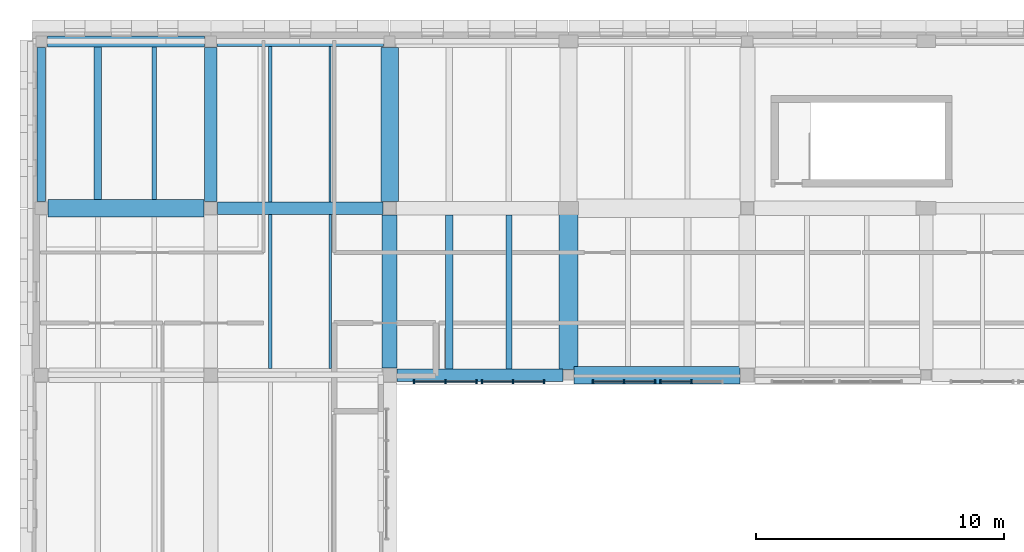
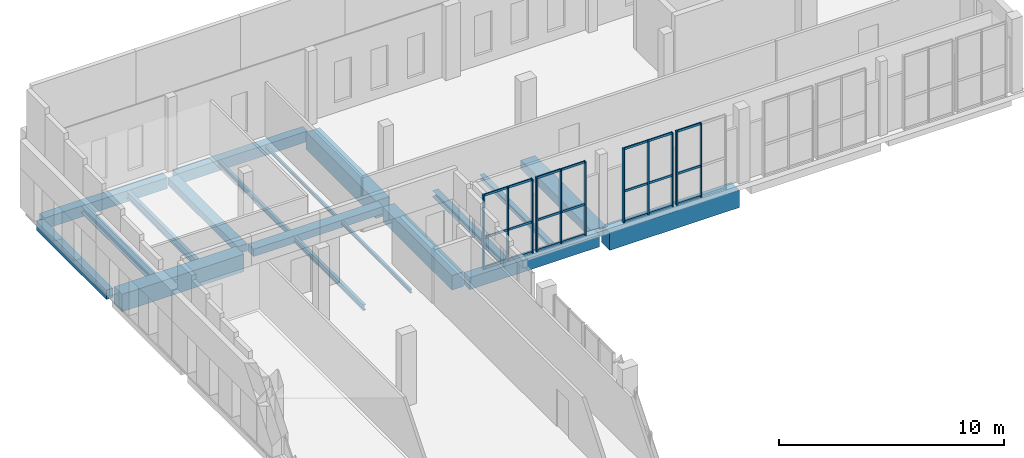
# One storey, part 11 of 34: 32 members, 19 beams, 4 elements without a shape of their own.
"""IFC4 building model written with IfcOpenShell, lengths in metres."""

from ifc_helpers import new_model, si_unit, direction, frame, origin, origin_2d, place, context, subcontext, project, spatial, rectangle, i_section, extrude, material, layer, layer_set, material_profile, profile_set, type_object, element, aggregate, save


model = new_model("IFC4")

# Units and contexts
model_context = context("Model", 3, precision=1e-05, world=origin(), true_north=direction((0.0, 1.0)))
body_context = subcontext(model_context, "Body", "Model", "MODEL_VIEW")
ifc_project = project(units=[si_unit("LENGTHUNIT", "METRE"), si_unit("AREAUNIT", "SQUARE_METRE"), si_unit("VOLUMEUNIT", "CUBIC_METRE"), si_unit("PLANEANGLEUNIT", "RADIAN"), si_unit("MASSUNIT", "GRAM", prefix="KILO")], contexts=[model_context])

# Site, building, storey
site_placement = place(None, origin())
site = spatial("IfcSite", under=ifc_project, at=site_placement, CompositionType="ELEMENT")
building_placement = place(site_placement, origin())
building = spatial("IfcBuilding", under=site, at=building_placement, Name="Vardoun Plaza Health Centre", CompositionType="ELEMENT")
storey_placement = place(building_placement, frame((0.0, 0.0, 12.89990234375)))
storey = spatial("IfcBuildingStorey", under=building, at=storey_placement, Name="L03", CompositionType="ELEMENT", Elevation=12.89990234375)

# Beams
ifc_material_1 = material(Name="Concrete C35/45", Category="concrete")
ifc_material_profile_1 = material_profile(ifc_material_1, rectangle(XDim=0.35009765625, YDim=0.5, at=origin_2d()), Name="RC-BM 350x500")
ifc_profile_set_1 = profile_set([ifc_material_profile_1], Name="Concrete C35/45")
beam_type_1 = type_object("IfcBeamType", Name="B-08", PredefinedType="SPANDREL", material=ifc_profile_set_1)
beam_1_placement = place(storey_placement, frame((4.8798828125, 108.47509765625, -0.514892578125), z_axis=(0.0, 1.0, 0.0), x_axis=(-1.0, 0.0, 0.0)))
element("IfcBeam", 1, at=beam_1_placement, inside=storey, type_object=beam_type_1, Name="V3 L03 Beam B-V3-L03-Y29", PredefinedType="SPANDREL", context=body_context, shape_type="SweptSolid", body=[
    extrude(rectangle(XDim=0.35009765625, YDim=0.5, at=origin_2d()), origin(), (0.0, 0.0, 1.0), 6.19482421875),
])
ifc_material_2 = material(Name="Concrete C35/45", Category="concrete")
ifc_material_profile_2 = material_profile(ifc_material_2, rectangle(XDim=0.419921875, YDim=0.580078125, at=origin_2d()), Name="RC-BM 420x580")
ifc_profile_set_2 = profile_set([ifc_material_profile_2], Name="Concrete C35/45")
beam_type_2 = type_object("IfcBeamType", Name="B-10", PredefinedType="SPANDREL", material=ifc_profile_set_2)
beam_2_placement = place(storey_placement, frame((11.949951171875, 114.919921875, -0.554931640625), z_axis=(1.0, 0.0, 0.0), x_axis=(0.0, 1.0, 0.0)))
element("IfcBeam", 2, at=beam_2_placement, inside=storey, type_object=beam_type_2, Name="V3 L03 Beam B-V3-L03-X12", PredefinedType="SPANDREL", context=body_context, shape_type="SweptSolid", body=[
    extrude(rectangle(XDim=0.419921875, YDim=0.580078125, at=origin_2d()), origin(), (0.0, 0.0, 1.0), 6.699951171875),
])
ifc_material_3 = material(Name="Concrete C35/45", Category="concrete")
ifc_material_profile_3 = material_profile(ifc_material_3, rectangle(XDim=0.449951171875, YDim=0.60009765625, at=origin_2d()), Name="RC-BM 450x600")
ifc_profile_set_3 = profile_set([ifc_material_profile_3], Name="Concrete C35/45")
beam_type_3 = type_object("IfcBeamType", Name="B-11", PredefinedType="SPANDREL", material=ifc_profile_set_3)
beam_3_placement = place(storey_placement, frame((5.1298828125, 114.919921875, -0.56494140625), z_axis=(1.0, 0.0, 0.0), x_axis=(0.0, 1.0, 0.0)))
element("IfcBeam", 3, at=beam_3_placement, inside=storey, type_object=beam_type_3, Name="V3 L03 Beam B-V3-L03-X06", PredefinedType="SPANDREL", context=body_context, shape_type="SweptSolid", body=[
    extrude(rectangle(XDim=0.449951171875, YDim=0.60009765625, at=origin_2d()), origin(), (0.0, 0.0, 1.0), 6.320068359375),
])
ifc_material_4 = material(Name="Concrete C35/45", Category="concrete")
ifc_material_profile_4 = material_profile(ifc_material_4, rectangle(XDim=0.5, YDim=0.39990234375, at=origin_2d()), Name="RC-BM 500x400")
ifc_profile_set_4 = profile_set([ifc_material_profile_4], Name="Concrete C35/45")
beam_type_4 = type_object("IfcBeamType", Name="B-02", PredefinedType="BEAM", material=ifc_profile_set_4)
beam_4_placement = place(storey_placement, frame((11.97509765625, 108.199951171875, -0.46484375), z_axis=(1.0, 0.0, 0.0), x_axis=(0.0, 1.0, 0.0)))
element("IfcBeam", 4, at=beam_4_placement, inside=storey, type_object=beam_type_4, Name="V3 L03 Beam B-V3-L03-X11", PredefinedType="BEAM", context=body_context, shape_type="SweptSolid", body=[
    extrude(rectangle(XDim=0.5, YDim=0.39990234375, at=origin_2d()), origin(), (0.0, 0.0, 1.0), 6.64990234375),
])
beam_5_placement = place(storey_placement, frame((11.699951171875, 108.47509765625, -0.46484375), z_axis=(0.0, 1.0, 0.0), x_axis=(-1.0, 0.0, 0.0)))
element("IfcBeam", 5, at=beam_5_placement, inside=storey, type_object=beam_type_4, Name="V3 L03 Beam B-V3-L03-Y33", PredefinedType="BEAM", context=body_context, shape_type="SweptSolid", body=[
    extrude(rectangle(XDim=0.5, YDim=0.39990234375, at=origin_2d()), origin(), (0.0, 0.0, 1.0), 6.19482421875),
])
ifc_material_5 = material(Name="Concrete C40/50", Category="concrete")
ifc_material_profile_5 = material_profile(ifc_material_5, rectangle(XDim=0.5, YDim=0.64990234375, at=origin_2d()), Name="RC-BM 500x650")
ifc_profile_set_5 = profile_set([ifc_material_profile_5], Name="Concrete C40/50")
beam_type_5 = type_object("IfcBeamType", Name="B-13", PredefinedType="BEAM", material=ifc_profile_set_5)
beam_6_placement = place(storey_placement, frame((19.199951171875, 101.47998046875, -0.58984375), z_axis=(1.0, 0.0, 0.0), x_axis=(0.0, 1.0, 0.0)))
element("IfcBeam", 6, at=beam_6_placement, inside=storey, type_object=beam_type_5, Name="V3 L03 Beam B-V3-L03-X13", PredefinedType="BEAM", context=body_context, shape_type="SweptSolid", body=[
    extrude(rectangle(XDim=0.5, YDim=0.64990234375, at=origin_2d()), origin(), (0.0, 0.0, 1.0), 6.675048828125),
])
ifc_material_6 = material(Name="Concrete C40/50", Category="concrete")
ifc_material_profile_6 = material_profile(ifc_material_6, rectangle(XDim=0.60009765625, YDim=0.800048828125, at=origin_2d()), Name="RC-BM 600x800")
ifc_profile_set_6 = profile_set([ifc_material_profile_6], Name="Concrete C40/50")
beam_type_6 = type_object("IfcBeamType", Name="B-15", PredefinedType="JOIST", material=ifc_profile_set_6)
beam_7_placement = place(storey_placement, frame((18.89990234375, 101.780029296875, -0.664794921875), z_axis=(0.0, 1.0, 0.0), x_axis=(-1.0, 0.0, 0.0)))
element("IfcBeam", 7, at=beam_7_placement, inside=storey, type_object=beam_type_6, Name="V3 L03 Beam B-V3-L03-Y37", PredefinedType="JOIST", context=body_context, shape_type="SweptSolid", body=[
    extrude(rectangle(XDim=0.60009765625, YDim=0.800048828125, at=origin_2d()), origin(), (0.0, 0.0, 1.0), 6.14501953125),
])
ifc_material_7 = material(Name="Concrete C40/50", Category="concrete")
ifc_material_profile_7 = material_profile(ifc_material_7, rectangle(XDim=0.699951171875, YDim=0.949951171875, at=origin_2d()), Name="RC-BM 700x950")
ifc_profile_set_7 = profile_set([ifc_material_profile_7], Name="Concrete C40/50")
beam_type_7 = type_object("IfcBeamType", Name="B-16", PredefinedType="LINTEL", material=ifc_profile_set_7)
beam_8_placement = place(storey_placement, frame((5.155029296875, 108.199951171875, -0.739990234375), z_axis=(1.0, 0.0, 0.0), x_axis=(0.0, 1.0, 0.0)))
element("IfcBeam", 8, at=beam_8_placement, inside=storey, type_object=beam_type_7, Name="V3 L03 Beam B-V3-L03-X05", PredefinedType="LINTEL", context=body_context, shape_type="SweptSolid", body=[
    extrude(rectangle(XDim=0.699951171875, YDim=0.949951171875, at=origin_2d()), origin(), (0.0, 0.0, 1.0), 6.27001953125),
])
beam_9_placement = place(storey_placement, frame((26.324951171875, 101.47998046875, -0.739990234375), z_axis=(1.0, 0.0, 0.0), x_axis=(0.0, 1.0, 0.0)))
element("IfcBeam", 9, at=beam_9_placement, inside=storey, type_object=beam_type_7, Name="V3 L03 Beam B-V3-L03-X16", PredefinedType="LINTEL", context=body_context, shape_type="SweptSolid", body=[
    extrude(rectangle(XDim=0.699951171875, YDim=0.949951171875, at=origin_2d()), origin(), (0.0, 0.0, 1.0), 6.675048828125),
])
beam_10_placement = place(storey_placement, frame((18.89990234375, 108.47509765625, -0.739990234375), z_axis=(0.0, 1.0, 0.0), x_axis=(-1.0, 0.0, 0.0)))
element("IfcBeam", 10, at=beam_10_placement, inside=storey, type_object=beam_type_7, Name="V3 L03 Beam B-V3-L03-Y38", PredefinedType="LINTEL", context=body_context, shape_type="SweptSolid", body=[
    extrude(rectangle(XDim=0.699951171875, YDim=0.949951171875, at=origin_2d()), origin(), (0.0, 0.0, 1.0), 6.19482421875),
])
ifc_material_8 = material(Name="Concrete C35/45", Category="concrete")
ifc_material_profile_8 = material_profile(ifc_material_8, rectangle(XDim=0.75, YDim=0.47998046875, at=origin_2d()), Name="RC-BM 750x480")
ifc_profile_set_8 = profile_set([ifc_material_profile_8], Name="Concrete C35/45")
beam_type_8 = type_object("IfcBeamType", Name="B-07", PredefinedType="BEAM", material=ifc_profile_set_8)
beam_11_placement = place(storey_placement, frame((26.10009765625, 101.705078125, -0.5048828125), z_axis=(0.0, 1.0, 0.0), x_axis=(-1.0, 0.0, 0.0)))
element("IfcBeam", 11, at=beam_11_placement, inside=storey, type_object=beam_type_8, Name="V3 L03 Beam B-V3-L03-Y39", PredefinedType="BEAM", context=body_context, shape_type="SweptSolid", body=[
    extrude(rectangle(XDim=0.75, YDim=0.47998046875, at=origin_2d()), origin(), (0.0, 0.0, 1.0), 6.294921875),
])
ifc_material_9 = material(Name="Steel S355J2", Category="steel")
ifc_material_profile_9 = material_profile(ifc_material_9, i_section(OverallWidth=0.239990234375, OverallDepth=0.22998046875, WebThickness=0.007568359375, FlangeThickness=0.011962890625, FilletRadius=0.02099609375, at=origin_2d()), Name="HEA 240")
ifc_profile_set_9 = profile_set([ifc_material_profile_9], Name="Steel S355J2")
beam_type_9 = type_object("IfcBeamType", Name="SB-07", PredefinedType="BEAM", material=ifc_profile_set_9)
beam_12_placement = place(storey_placement, frame((23.7001953125, 101.72998046875, -0.3798828125), z_axis=(0.0, 1.0, 0.0), x_axis=(-1.0, 0.0, 0.0)))
element("IfcBeam", 12, at=beam_12_placement, inside=storey, type_object=beam_type_9, Name="V3 L03 Secondary Floor Beam SJ-V3-L03-19", PredefinedType="BEAM", context=body_context, shape_type="SweptSolid", body=[
    extrude(i_section(OverallWidth=0.239990234375, OverallDepth=0.22998046875, WebThickness=0.007568359375, FlangeThickness=0.011962890625, FilletRadius=0.02099609375, at=origin_2d()), origin(), (0.0, 0.0, 1.0), 6.195068359375),
])
ifc_material_10 = material(Name="Steel S355J2", Category="steel")
ifc_material_profile_10 = material_profile(ifc_material_10, i_section(OverallWidth=0.300048828125, OverallDepth=0.330078125, WebThickness=0.009521484375, FlangeThickness=0.0166015625, FilletRadius=0.027099609375, at=origin_2d()), Name="HEA 340")
ifc_profile_set_10 = profile_set([ifc_material_profile_10], Name="Steel S355J2")
beam_type_10 = type_object("IfcBeamType", Name="SB-04", PredefinedType="BEAM", material=ifc_profile_set_10)
beam_13_placement = place(storey_placement, frame((21.2998046875, 101.72998046875, -0.429931640625), z_axis=(0.0, 1.0, 0.0), x_axis=(-1.0, 0.0, 0.0)))
element("IfcBeam", 13, at=beam_13_placement, inside=storey, type_object=beam_type_10, Name="V3 L03 Secondary Floor Beam SJ-V3-L03-17", PredefinedType="BEAM", context=body_context, shape_type="SweptSolid", body=[
    extrude(i_section(OverallWidth=0.300048828125, OverallDepth=0.330078125, WebThickness=0.009521484375, FlangeThickness=0.0166015625, FilletRadius=0.027099609375, at=origin_2d()), origin(), (0.0, 0.0, 1.0), 6.195068359375),
])
ifc_material_11 = material(Name="Steel S355J2", Category="steel")
ifc_material_profile_11 = material_profile(ifc_material_11, i_section(OverallWidth=0.300048828125, OverallDepth=0.360107421875, WebThickness=0.012451171875, FlangeThickness=0.0224609375, FilletRadius=0.027099609375, at=origin_2d()), Name="HEB 360")
ifc_profile_set_11 = profile_set([ifc_material_profile_11], Name="Steel S355J2")
beam_type_11 = type_object("IfcBeamType", Name="RB-04", PredefinedType="BEAM", material=ifc_profile_set_11)
beam_14_placement = place(storey_placement, frame((7.153076171875, 108.550048828125, -0.44482421875), z_axis=(0.0, 1.0, 0.0), x_axis=(-1.0, 0.0, 0.0)))
element("IfcBeam", 14, at=beam_14_placement, inside=storey, type_object=beam_type_11, Name="V3 L03 Secondary Floor Beam SJ-V3-L03-04", PredefinedType="BEAM", context=body_context, shape_type="SweptSolid", body=[
    extrude(i_section(OverallWidth=0.300048828125, OverallDepth=0.360107421875, WebThickness=0.012451171875, FlangeThickness=0.0224609375, FilletRadius=0.027099609375, at=origin_2d()), origin(), (0.0, 0.0, 1.0), 6.14501953125),
])
ifc_material_12 = material(Name="Steel S355J2", Category="steel")
ifc_material_profile_12 = material_profile(ifc_material_12, i_section(OverallWidth=0.091064453125, OverallDepth=0.179931640625, WebThickness=0.00537109375, FlangeThickness=0.008056640625, FilletRadius=0.009033203125, at=origin_2d()), Name="IPE 180")
ifc_profile_set_12 = profile_set([ifc_material_profile_12], Name="Steel S355J2")
beam_type_12 = type_object("IfcBeamType", Name="SB-20", PredefinedType="SPANDREL", material=ifc_profile_set_12)
beam_15_placement = place(storey_placement, frame((16.500244140625, 108.449951171875, -0.35498046875), z_axis=(0.0, 1.0, 0.0), x_axis=(-1.0, 0.0, 0.0)))
element("IfcBeam", 15, at=beam_15_placement, inside=storey, type_object=beam_type_12, Name="V3 L03 Secondary Floor Beam SJ-V3-L03-16", PredefinedType="SPANDREL", context=body_context, shape_type="SweptSolid", body=[
    extrude(i_section(OverallWidth=0.091064453125, OverallDepth=0.179931640625, WebThickness=0.00537109375, FlangeThickness=0.008056640625, FilletRadius=0.009033203125, at=origin_2d()), origin(), (0.0, 0.0, 1.0), 6.260009765625),
])
ifc_material_13 = material(Name="Steel S355J2", Category="steel")
ifc_material_profile_13 = material_profile(ifc_material_13, i_section(OverallWidth=0.10009765625, OverallDepth=0.199951171875, WebThickness=0.005615234375, FlangeThickness=0.008544921875, FilletRadius=0.011962890625, at=origin_2d()), Name="IPE 200")
ifc_profile_set_13 = profile_set([ifc_material_profile_13], Name="Steel S355J2")
beam_type_13 = type_object("IfcBeamType", Name="SB-19", PredefinedType="SPANDREL", material=ifc_profile_set_13)
beam_16_placement = place(storey_placement, frame((16.500244140625, 101.7548828125, -0.364990234375), z_axis=(0.0, 1.0, 0.0), x_axis=(-1.0, 0.0, 0.0)))
element("IfcBeam", 16, at=beam_16_placement, inside=storey, type_object=beam_type_13, Name="V3 L03 Secondary Floor Beam SJ-V3-L03-15", PredefinedType="SPANDREL", context=body_context, shape_type="SweptSolid", body=[
    extrude(i_section(OverallWidth=0.10009765625, OverallDepth=0.199951171875, WebThickness=0.005615234375, FlangeThickness=0.008544921875, FilletRadius=0.011962890625, at=origin_2d()), origin(), (0.0, 0.0, 1.0), 6.195068359375),
])
ifc_material_14 = material(Name="Steel S355J2", Category="steel")
ifc_material_profile_14 = material_profile(ifc_material_14, i_section(OverallWidth=0.135009765625, OverallDepth=0.27001953125, WebThickness=0.006591796875, FlangeThickness=0.01025390625, FilletRadius=0.014892578125, at=origin_2d()), Name="IPE 270")
ifc_profile_set_14 = profile_set([ifc_material_profile_14], Name="Steel S355J2")
beam_type_14 = type_object("IfcBeamType", Name="SB-16", PredefinedType="JOIST", material=ifc_profile_set_14)
beam_17_placement = place(storey_placement, frame((14.099853515625, 108.449951171875, -0.39990234375), z_axis=(0.0, 1.0, 0.0), x_axis=(-1.0, 0.0, 0.0)))
element("IfcBeam", 17, at=beam_17_placement, inside=storey, type_object=beam_type_14, Name="V3 L03 Secondary Floor Beam SJ-V3-L03-12", PredefinedType="JOIST", context=body_context, shape_type="SweptSolid", body=[
    extrude(i_section(OverallWidth=0.135009765625, OverallDepth=0.27001953125, WebThickness=0.006591796875, FlangeThickness=0.01025390625, FilletRadius=0.014892578125, at=origin_2d()), origin(), (0.0, 0.0, 1.0), 6.260009765625),
])
ifc_material_15 = material(Name="Steel S355J2", Category="steel")
ifc_material_profile_15 = material_profile(ifc_material_15, i_section(OverallWidth=0.14990234375, OverallDepth=0.300048828125, WebThickness=0.007080078125, FlangeThickness=0.0107421875, FilletRadius=0.014892578125, at=origin_2d()), Name="IPE 300")
ifc_profile_set_15 = profile_set([ifc_material_profile_15], Name="Steel S355J2")
beam_type_15 = type_object("IfcBeamType", Name="SB-15", PredefinedType="JOIST", material=ifc_profile_set_15)
beam_18_placement = place(storey_placement, frame((14.099853515625, 101.7548828125, -0.414794921875), z_axis=(0.0, 1.0, 0.0), x_axis=(-1.0, 0.0, 0.0)))
element("IfcBeam", 18, at=beam_18_placement, inside=storey, type_object=beam_type_15, Name="V3 L03 Secondary Floor Beam SJ-V3-L03-11", PredefinedType="JOIST", context=body_context, shape_type="SweptSolid", body=[
    extrude(i_section(OverallWidth=0.14990234375, OverallDepth=0.300048828125, WebThickness=0.007080078125, FlangeThickness=0.0107421875, FilletRadius=0.014892578125, at=origin_2d()), origin(), (0.0, 0.0, 1.0), 6.195068359375),
])
ifc_material_16 = material(Name="Steel S355J2", Category="steel")
ifc_material_profile_16 = material_profile(ifc_material_16, i_section(OverallWidth=0.179931640625, OverallDepth=0.39990234375, WebThickness=0.008544921875, FlangeThickness=0.013427734375, FilletRadius=0.02099609375, at=origin_2d()), Name="IPE 400")
ifc_profile_set_16 = profile_set([ifc_material_profile_16], Name="Steel S355J2")
beam_type_16 = type_object("IfcBeamType", Name="SB-12", PredefinedType="BEAM", material=ifc_profile_set_16)
beam_19_placement = place(storey_placement, frame((9.427001953125, 108.550048828125, -0.46484375), z_axis=(0.0, 1.0, 0.0), x_axis=(-1.0, 0.0, 0.0)))
element("IfcBeam", 19, at=beam_19_placement, inside=storey, type_object=beam_type_16, Name="V3 L03 Secondary Floor Beam SJ-V3-L03-08", PredefinedType="BEAM", context=body_context, shape_type="SweptSolid", body=[
    extrude(i_section(OverallWidth=0.179931640625, OverallDepth=0.39990234375, WebThickness=0.008544921875, FlangeThickness=0.013427734375, FilletRadius=0.02099609375, at=origin_2d()), origin(), (0.0, 0.0, 1.0), 6.14501953125),
])

# Curtain wall, members
ifc_material_17 = material(Name="Aluminium Alloy EN AW-6063-T6 and Low-E Glass", Category="aluminium")
ifc_layer = layer(ifc_material_17, 0.159912109375)
ifc_layer_set = layer_set([ifc_layer], Name="Aluminium Alloy EN AW-6063-T6 and Low-E Glass")
curtain_wall_type = type_object("IfcCurtainWallType", Name="CW-02", PredefinedType="USERDEFINED", material=ifc_layer_set)
curtain_wall_1_placement = place(storey_placement, origin())
curtain_wall_1 = element("IfcCurtainWall", 20, at=curtain_wall_1_placement, inside=storey, type_object=curtain_wall_type, Name="Curtain Wall CW-V3-091", ObjectType="COURTYARD_CURTAIN_WALL", PredefinedType="USERDEFINED")
ifc_material_18 = material(Name="Aluminium Alloy EN AW-6063-T6", Category="aluminium")
ifc_material_profile_17 = material_profile(ifc_material_18, rectangle(XDim=0.159912109375, YDim=0.06005859375, at=origin_2d()), Name="CWM 60x160")
ifc_profile_set_17 = profile_set([ifc_material_profile_17], Name="Aluminium Alloy EN AW-6063-T6")
member_type_1 = type_object("IfcMemberType", Name="CW-M1", PredefinedType="MULLION", material=ifc_profile_set_17)
member_1_placement = place(storey_placement, frame((31.06005859375, 101.219970703125, 0.0), z_axis=(0.0, 0.0, 1.0), x_axis=(0.0, -1.0, 0.0)))
member_1 = element("IfcMember", 21, at=member_1_placement, type_object=member_type_1, Name="CW-V3-091 mullion 2", PredefinedType="MULLION", context=body_context, shape_type="SweptSolid", body=[
    extrude(rectangle(XDim=0.159912109375, YDim=0.06005859375, at=origin_2d()), origin(), (0.0, 0.0, 1.0), 4.01513671875),
])
member_2_placement = place(storey_placement, frame((29.81005859375, 101.219970703125, 0.0), z_axis=(0.0, 0.0, 1.0), x_axis=(0.0, -1.0, 0.0)))
member_2 = element("IfcMember", 22, at=member_2_placement, type_object=member_type_1, Name="CW-V3-091 mullion 3", PredefinedType="MULLION", context=body_context, shape_type="SweptSolid", body=[
    extrude(rectangle(XDim=0.159912109375, YDim=0.06005859375, at=origin_2d()), origin(), (0.0, 0.0, 1.0), 4.01513671875),
])

curtain_wall_2_placement = place(storey_placement, origin())
curtain_wall_2 = element("IfcCurtainWall", 23, at=curtain_wall_2_placement, inside=storey, type_object=curtain_wall_type, Name="Curtain Wall CW-V3-092", ObjectType="COURTYARD_CURTAIN_WALL", PredefinedType="USERDEFINED")
member_3_placement = place(storey_placement, frame((29.590087890625, 101.219970703125, 0.0), z_axis=(0.0, 0.0, 1.0), x_axis=(0.0, -1.0, 0.0)))
member_3 = element("IfcMember", 24, at=member_3_placement, type_object=member_type_1, Name="CW-V3-092 mullion 1", PredefinedType="MULLION", context=body_context, shape_type="SweptSolid", body=[
    extrude(rectangle(XDim=0.159912109375, YDim=0.06005859375, at=origin_2d()), origin(), (0.0, 0.0, 1.0), 4.01513671875),
])
member_4_placement = place(storey_placement, frame((28.340087890625, 101.219970703125, 0.0), z_axis=(0.0, 0.0, 1.0), x_axis=(0.0, -1.0, 0.0)))
member_4 = element("IfcMember", 25, at=member_4_placement, type_object=member_type_1, Name="CW-V3-092 mullion 2", PredefinedType="MULLION", context=body_context, shape_type="SweptSolid", body=[
    extrude(rectangle(XDim=0.159912109375, YDim=0.06005859375, at=origin_2d()), origin(), (0.0, 0.0, 1.0), 4.01513671875),
])
member_5_placement = place(storey_placement, frame((27.090087890625, 101.219970703125, 0.0), z_axis=(0.0, 0.0, 1.0), x_axis=(0.0, -1.0, 0.0)))
member_5 = element("IfcMember", 26, at=member_5_placement, type_object=member_type_1, Name="CW-V3-092 mullion 3", PredefinedType="MULLION", context=body_context, shape_type="SweptSolid", body=[
    extrude(rectangle(XDim=0.159912109375, YDim=0.06005859375, at=origin_2d()), origin(), (0.0, 0.0, 1.0), 4.01513671875),
])

curtain_wall_3_placement = place(storey_placement, origin())
curtain_wall_3 = element("IfcCurtainWall", 27, at=curtain_wall_3_placement, inside=storey, type_object=curtain_wall_type, Name="Curtain Wall CW-V3-093", ObjectType="COURTYARD_CURTAIN_WALL", PredefinedType="USERDEFINED")
member_6_placement = place(storey_placement, frame((25.110107421875, 101.219970703125, 0.0), z_axis=(0.0, 0.0, 1.0), x_axis=(0.0, -1.0, 0.0)))
member_6 = element("IfcMember", 28, at=member_6_placement, type_object=member_type_1, Name="CW-V3-093 mullion 1", PredefinedType="MULLION", context=body_context, shape_type="SweptSolid", body=[
    extrude(rectangle(XDim=0.159912109375, YDim=0.06005859375, at=origin_2d()), origin(), (0.0, 0.0, 1.0), 4.01513671875),
])
member_7_placement = place(storey_placement, frame((23.860107421875, 101.219970703125, 0.0), z_axis=(0.0, 0.0, 1.0), x_axis=(0.0, -1.0, 0.0)))
member_7 = element("IfcMember", 29, at=member_7_placement, type_object=member_type_1, Name="CW-V3-093 mullion 2", PredefinedType="MULLION", context=body_context, shape_type="SweptSolid", body=[
    extrude(rectangle(XDim=0.159912109375, YDim=0.06005859375, at=origin_2d()), origin(), (0.0, 0.0, 1.0), 4.01513671875),
])
member_8_placement = place(storey_placement, frame((22.610107421875, 101.219970703125, 0.0), z_axis=(0.0, 0.0, 1.0), x_axis=(0.0, -1.0, 0.0)))
member_8 = element("IfcMember", 30, at=member_8_placement, type_object=member_type_1, Name="CW-V3-093 mullion 3", PredefinedType="MULLION", context=body_context, shape_type="SweptSolid", body=[
    extrude(rectangle(XDim=0.159912109375, YDim=0.06005859375, at=origin_2d()), origin(), (0.0, 0.0, 1.0), 4.01513671875),
])

curtain_wall_4_placement = place(storey_placement, origin())
curtain_wall_4 = element("IfcCurtainWall", 31, at=curtain_wall_4_placement, inside=storey, type_object=curtain_wall_type, Name="Curtain Wall CW-V3-094", ObjectType="COURTYARD_CURTAIN_WALL", PredefinedType="USERDEFINED")
member_9_placement = place(storey_placement, frame((22.389892578125, 101.219970703125, 0.0), z_axis=(0.0, 0.0, 1.0), x_axis=(0.0, -1.0, 0.0)))
member_9 = element("IfcMember", 32, at=member_9_placement, type_object=member_type_1, Name="CW-V3-094 mullion 1", PredefinedType="MULLION", context=body_context, shape_type="SweptSolid", body=[
    extrude(rectangle(XDim=0.159912109375, YDim=0.06005859375, at=origin_2d()), origin(), (0.0, 0.0, 1.0), 4.01513671875),
])
member_10_placement = place(storey_placement, frame((21.139892578125, 101.219970703125, 0.0), z_axis=(0.0, 0.0, 1.0), x_axis=(0.0, -1.0, 0.0)))
member_10 = element("IfcMember", 33, at=member_10_placement, type_object=member_type_1, Name="CW-V3-094 mullion 2", PredefinedType="MULLION", context=body_context, shape_type="SweptSolid", body=[
    extrude(rectangle(XDim=0.159912109375, YDim=0.06005859375, at=origin_2d()), origin(), (0.0, 0.0, 1.0), 4.01513671875),
])
member_11_placement = place(storey_placement, frame((19.889892578125, 101.219970703125, 0.0), z_axis=(0.0, 0.0, 1.0), x_axis=(0.0, -1.0, 0.0)))
member_11 = element("IfcMember", 34, at=member_11_placement, type_object=member_type_1, Name="CW-V3-094 mullion 3", PredefinedType="MULLION", context=body_context, shape_type="SweptSolid", body=[
    extrude(rectangle(XDim=0.159912109375, YDim=0.06005859375, at=origin_2d()), origin(), (0.0, 0.0, 1.0), 4.01513671875),
])

# Member
ifc_material_19 = material(Name="Aluminium Alloy EN AW-6063-T6", Category="aluminium")
ifc_material_profile_18 = material_profile(ifc_material_19, rectangle(XDim=0.06005859375, YDim=0.1201171875, at=origin_2d()), Name="CWT 60x120")
ifc_profile_set_18 = profile_set([ifc_material_profile_18], Name="Aluminium Alloy EN AW-6063-T6")
member_type_2 = type_object("IfcMemberType", Name="CW-T1", PredefinedType="USERDEFINED", material=ifc_profile_set_18)
member_12_placement = place(storey_placement, frame((31.030029296875, 101.219970703125, 0.030029296875), z_axis=(-1.0, 0.0, 0.0), x_axis=(0.0, -1.0, 0.0)))
member_12 = element("IfcMember", 35, at=member_12_placement, type_object=member_type_2, Name="CW-V3-091 transom 2.1", ObjectType="TRANSOM", PredefinedType="USERDEFINED", context=body_context, shape_type="SweptSolid", body=[
    extrude(rectangle(XDim=0.06005859375, YDim=0.1201171875, at=origin_2d()), origin(), (0.0, 0.0, 1.0), 1.18994140625),
])

member_13_placement = place(storey_placement, frame((31.030029296875, 101.219970703125, 1.686279296875), z_axis=(-1.0, 0.0, 0.0), x_axis=(0.0, -1.0, 0.0)))
member_13 = element("IfcMember", 36, at=member_13_placement, type_object=member_type_2, Name="CW-V3-091 transom 2.2", ObjectType="TRANSOM", PredefinedType="USERDEFINED", context=body_context, shape_type="SweptSolid", body=[
    extrude(rectangle(XDim=0.06005859375, YDim=0.1201171875, at=origin_2d()), origin(), (0.0, 0.0, 1.0), 1.18994140625),
])

member_14_placement = place(storey_placement, frame((31.030029296875, 101.219970703125, 3.985107421875), z_axis=(-1.0, 0.0, 0.0), x_axis=(0.0, -1.0, 0.0)))
member_14 = element("IfcMember", 37, at=member_14_placement, type_object=member_type_2, Name="CW-V3-091 transom 2.3", ObjectType="TRANSOM", PredefinedType="USERDEFINED", context=body_context, shape_type="SweptSolid", body=[
    extrude(rectangle(XDim=0.06005859375, YDim=0.1201171875, at=origin_2d()), origin(), (0.0, 0.0, 1.0), 1.18994140625),
])

aggregate(curtain_wall_1, [member_1, member_2, member_12, member_13, member_14])

member_15_placement = place(storey_placement, frame((29.56005859375, 101.219970703125, 0.030029296875), z_axis=(-1.0, 0.0, 0.0), x_axis=(0.0, -1.0, 0.0)))
member_15 = element("IfcMember", 38, at=member_15_placement, type_object=member_type_2, Name="CW-V3-092 transom 1.1", ObjectType="TRANSOM", PredefinedType="USERDEFINED", context=body_context, shape_type="SweptSolid", body=[
    extrude(rectangle(XDim=0.06005859375, YDim=0.1201171875, at=origin_2d()), origin(), (0.0, 0.0, 1.0), 1.18994140625),
])

member_16_placement = place(storey_placement, frame((29.56005859375, 101.219970703125, 1.686279296875), z_axis=(-1.0, 0.0, 0.0), x_axis=(0.0, -1.0, 0.0)))
member_16 = element("IfcMember", 39, at=member_16_placement, type_object=member_type_2, Name="CW-V3-092 transom 1.2", ObjectType="TRANSOM", PredefinedType="USERDEFINED", context=body_context, shape_type="SweptSolid", body=[
    extrude(rectangle(XDim=0.06005859375, YDim=0.1201171875, at=origin_2d()), origin(), (0.0, 0.0, 1.0), 1.18994140625),
])

member_17_placement = place(storey_placement, frame((29.56005859375, 101.219970703125, 3.985107421875), z_axis=(-1.0, 0.0, 0.0), x_axis=(0.0, -1.0, 0.0)))
member_17 = element("IfcMember", 40, at=member_17_placement, type_object=member_type_2, Name="CW-V3-092 transom 1.3", ObjectType="TRANSOM", PredefinedType="USERDEFINED", context=body_context, shape_type="SweptSolid", body=[
    extrude(rectangle(XDim=0.06005859375, YDim=0.1201171875, at=origin_2d()), origin(), (0.0, 0.0, 1.0), 1.18994140625),
])

member_18_placement = place(storey_placement, frame((28.31005859375, 101.219970703125, 0.030029296875), z_axis=(-1.0, 0.0, 0.0), x_axis=(0.0, -1.0, 0.0)))
member_18 = element("IfcMember", 41, at=member_18_placement, type_object=member_type_2, Name="CW-V3-092 transom 2.1", ObjectType="TRANSOM", PredefinedType="USERDEFINED", context=body_context, shape_type="SweptSolid", body=[
    extrude(rectangle(XDim=0.06005859375, YDim=0.1201171875, at=origin_2d()), origin(), (0.0, 0.0, 1.0), 1.18994140625),
])

member_19_placement = place(storey_placement, frame((28.31005859375, 101.219970703125, 1.686279296875), z_axis=(-1.0, 0.0, 0.0), x_axis=(0.0, -1.0, 0.0)))
member_19 = element("IfcMember", 42, at=member_19_placement, type_object=member_type_2, Name="CW-V3-092 transom 2.2", ObjectType="TRANSOM", PredefinedType="USERDEFINED", context=body_context, shape_type="SweptSolid", body=[
    extrude(rectangle(XDim=0.06005859375, YDim=0.1201171875, at=origin_2d()), origin(), (0.0, 0.0, 1.0), 1.18994140625),
])

member_20_placement = place(storey_placement, frame((28.31005859375, 101.219970703125, 3.985107421875), z_axis=(-1.0, 0.0, 0.0), x_axis=(0.0, -1.0, 0.0)))
member_20 = element("IfcMember", 43, at=member_20_placement, type_object=member_type_2, Name="CW-V3-092 transom 2.3", ObjectType="TRANSOM", PredefinedType="USERDEFINED", context=body_context, shape_type="SweptSolid", body=[
    extrude(rectangle(XDim=0.06005859375, YDim=0.1201171875, at=origin_2d()), origin(), (0.0, 0.0, 1.0), 1.18994140625),
])

aggregate(curtain_wall_2, [member_3, member_4, member_5, member_15, member_16, member_17, member_18, member_19, member_20])

member_21_placement = place(storey_placement, frame((25.080078125, 101.219970703125, 0.030029296875), z_axis=(-1.0, 0.0, 0.0), x_axis=(0.0, -1.0, 0.0)))
member_21 = element("IfcMember", 44, at=member_21_placement, type_object=member_type_2, Name="CW-V3-093 transom 1.1", ObjectType="TRANSOM", PredefinedType="USERDEFINED", context=body_context, shape_type="SweptSolid", body=[
    extrude(rectangle(XDim=0.06005859375, YDim=0.1201171875, at=origin_2d()), origin(), (0.0, 0.0, 1.0), 1.190185546875),
])

member_22_placement = place(storey_placement, frame((25.080078125, 101.219970703125, 1.686279296875), z_axis=(-1.0, 0.0, 0.0), x_axis=(0.0, -1.0, 0.0)))
member_22 = element("IfcMember", 45, at=member_22_placement, type_object=member_type_2, Name="CW-V3-093 transom 1.2", ObjectType="TRANSOM", PredefinedType="USERDEFINED", context=body_context, shape_type="SweptSolid", body=[
    extrude(rectangle(XDim=0.06005859375, YDim=0.1201171875, at=origin_2d()), origin(), (0.0, 0.0, 1.0), 1.190185546875),
])

member_23_placement = place(storey_placement, frame((25.080078125, 101.219970703125, 3.985107421875), z_axis=(-1.0, 0.0, 0.0), x_axis=(0.0, -1.0, 0.0)))
member_23 = element("IfcMember", 46, at=member_23_placement, type_object=member_type_2, Name="CW-V3-093 transom 1.3", ObjectType="TRANSOM", PredefinedType="USERDEFINED", context=body_context, shape_type="SweptSolid", body=[
    extrude(rectangle(XDim=0.06005859375, YDim=0.1201171875, at=origin_2d()), origin(), (0.0, 0.0, 1.0), 1.190185546875),
])

member_24_placement = place(storey_placement, frame((23.830078125, 101.219970703125, 0.030029296875), z_axis=(-1.0, 0.0, 0.0), x_axis=(0.0, -1.0, 0.0)))
member_24 = element("IfcMember", 47, at=member_24_placement, type_object=member_type_2, Name="CW-V3-093 transom 2.1", ObjectType="TRANSOM", PredefinedType="USERDEFINED", context=body_context, shape_type="SweptSolid", body=[
    extrude(rectangle(XDim=0.06005859375, YDim=0.1201171875, at=origin_2d()), origin(), (0.0, 0.0, 1.0), 1.190185546875),
])

member_25_placement = place(storey_placement, frame((23.830078125, 101.219970703125, 1.686279296875), z_axis=(-1.0, 0.0, 0.0), x_axis=(0.0, -1.0, 0.0)))
member_25 = element("IfcMember", 48, at=member_25_placement, type_object=member_type_2, Name="CW-V3-093 transom 2.2", ObjectType="TRANSOM", PredefinedType="USERDEFINED", context=body_context, shape_type="SweptSolid", body=[
    extrude(rectangle(XDim=0.06005859375, YDim=0.1201171875, at=origin_2d()), origin(), (0.0, 0.0, 1.0), 1.190185546875),
])

member_26_placement = place(storey_placement, frame((23.830078125, 101.219970703125, 3.985107421875), z_axis=(-1.0, 0.0, 0.0), x_axis=(0.0, -1.0, 0.0)))
member_26 = element("IfcMember", 49, at=member_26_placement, type_object=member_type_2, Name="CW-V3-093 transom 2.3", ObjectType="TRANSOM", PredefinedType="USERDEFINED", context=body_context, shape_type="SweptSolid", body=[
    extrude(rectangle(XDim=0.06005859375, YDim=0.1201171875, at=origin_2d()), origin(), (0.0, 0.0, 1.0), 1.190185546875),
])

aggregate(curtain_wall_3, [member_6, member_7, member_8, member_21, member_22, member_23, member_24, member_25, member_26])

member_27_placement = place(storey_placement, frame((22.360107421875, 101.219970703125, 0.030029296875), z_axis=(-1.0, 0.0, 0.0), x_axis=(0.0, -1.0, 0.0)))
member_27 = element("IfcMember", 50, at=member_27_placement, type_object=member_type_2, Name="CW-V3-094 transom 1.1", ObjectType="TRANSOM", PredefinedType="USERDEFINED", context=body_context, shape_type="SweptSolid", body=[
    extrude(rectangle(XDim=0.06005859375, YDim=0.1201171875, at=origin_2d()), origin(), (0.0, 0.0, 1.0), 1.190185546875),
])

member_28_placement = place(storey_placement, frame((22.360107421875, 101.219970703125, 1.686279296875), z_axis=(-1.0, 0.0, 0.0), x_axis=(0.0, -1.0, 0.0)))
member_28 = element("IfcMember", 51, at=member_28_placement, type_object=member_type_2, Name="CW-V3-094 transom 1.2", ObjectType="TRANSOM", PredefinedType="USERDEFINED", context=body_context, shape_type="SweptSolid", body=[
    extrude(rectangle(XDim=0.06005859375, YDim=0.1201171875, at=origin_2d()), origin(), (0.0, 0.0, 1.0), 1.190185546875),
])

member_29_placement = place(storey_placement, frame((22.360107421875, 101.219970703125, 3.985107421875), z_axis=(-1.0, 0.0, 0.0), x_axis=(0.0, -1.0, 0.0)))
member_29 = element("IfcMember", 52, at=member_29_placement, type_object=member_type_2, Name="CW-V3-094 transom 1.3", ObjectType="TRANSOM", PredefinedType="USERDEFINED", context=body_context, shape_type="SweptSolid", body=[
    extrude(rectangle(XDim=0.06005859375, YDim=0.1201171875, at=origin_2d()), origin(), (0.0, 0.0, 1.0), 1.190185546875),
])

member_30_placement = place(storey_placement, frame((21.110107421875, 101.219970703125, 0.030029296875), z_axis=(-1.0, 0.0, 0.0), x_axis=(0.0, -1.0, 0.0)))
member_30 = element("IfcMember", 53, at=member_30_placement, type_object=member_type_2, Name="CW-V3-094 transom 2.1", ObjectType="TRANSOM", PredefinedType="USERDEFINED", context=body_context, shape_type="SweptSolid", body=[
    extrude(rectangle(XDim=0.06005859375, YDim=0.1201171875, at=origin_2d()), origin(), (0.0, 0.0, 1.0), 1.190185546875),
])

member_31_placement = place(storey_placement, frame((21.110107421875, 101.219970703125, 1.686279296875), z_axis=(-1.0, 0.0, 0.0), x_axis=(0.0, -1.0, 0.0)))
member_31 = element("IfcMember", 54, at=member_31_placement, type_object=member_type_2, Name="CW-V3-094 transom 2.2", ObjectType="TRANSOM", PredefinedType="USERDEFINED", context=body_context, shape_type="SweptSolid", body=[
    extrude(rectangle(XDim=0.06005859375, YDim=0.1201171875, at=origin_2d()), origin(), (0.0, 0.0, 1.0), 1.190185546875),
])

member_32_placement = place(storey_placement, frame((21.110107421875, 101.219970703125, 3.985107421875), z_axis=(-1.0, 0.0, 0.0), x_axis=(0.0, -1.0, 0.0)))
member_32 = element("IfcMember", 55, at=member_32_placement, type_object=member_type_2, Name="CW-V3-094 transom 2.3", ObjectType="TRANSOM", PredefinedType="USERDEFINED", context=body_context, shape_type="SweptSolid", body=[
    extrude(rectangle(XDim=0.06005859375, YDim=0.1201171875, at=origin_2d()), origin(), (0.0, 0.0, 1.0), 1.190185546875),
])

aggregate(curtain_wall_4, [member_9, member_10, member_11, member_27, member_28, member_29, member_30, member_31, member_32])

save(model, "model.ifc")
